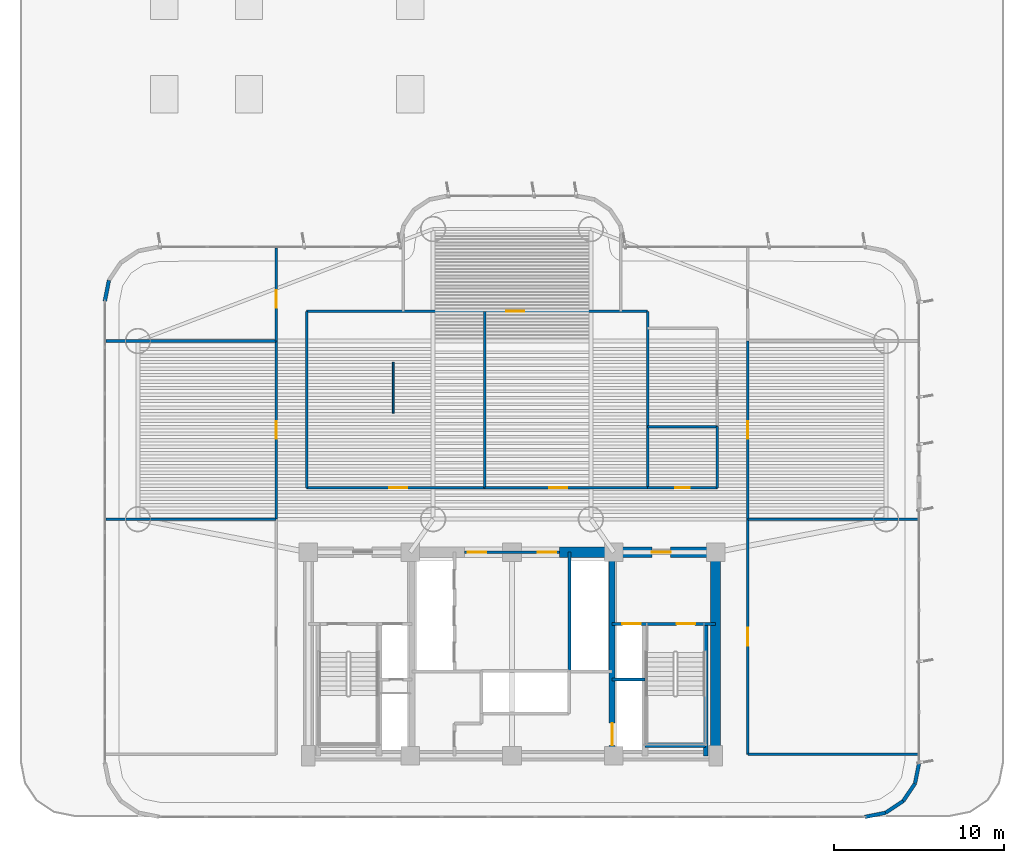
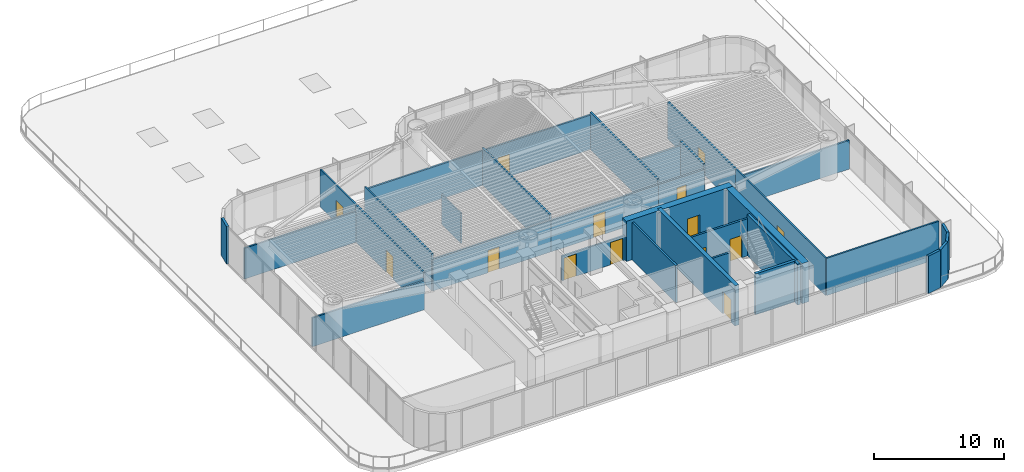
# One storey, part 11 of 17: 32 walls, 14 doors, 14 openings.
"""IFC4 building model written with IfcOpenShell, lengths in metres."""

from ifc_helpers import new_model, si_unit, direction, frame, frame_2d, origin, origin_2d, place, context, subcontext, project, spatial, rectangle, extrude, source, transform, mapped, material, layer, layer_set, type_object, element, fill, save


model = new_model("IFC4")

# Units and contexts
model_context = context("Model", 3, precision=1e-05, world=origin(), true_north=direction((0.0, 1.0)))
body_context = subcontext(model_context, "Body", "Model", "MODEL_VIEW")
ifc_project = project(units=[si_unit("LENGTHUNIT", "METRE"), si_unit("AREAUNIT", "SQUARE_METRE"), si_unit("VOLUMEUNIT", "CUBIC_METRE"), si_unit("PLANEANGLEUNIT", "RADIAN"), si_unit("MASSUNIT", "GRAM", prefix="KILO")], contexts=[model_context])

# Site, building, storey
site_placement = place(None, origin())
site = spatial("IfcSite", under=ifc_project, at=site_placement, CompositionType="ELEMENT")
building_placement = place(site_placement, origin())
building = spatial("IfcBuilding", under=site, at=building_placement, Name="Brelvock Crest Care Tower", CompositionType="ELEMENT")
storey_placement = place(building_placement, frame((0.0, 0.0, 27.0)))
storey = spatial("IfcBuildingStorey", under=building, at=storey_placement, Name="L06", CompositionType="ELEMENT", Elevation=27.0)

# Wall
ifc_material_1 = material(Name="Concrete S80 (80 MPa)", Category="concrete")
ifc_layer_1 = layer(ifc_material_1, 0.60009765625, Name="WL-CS1")
ifc_layer_set_1 = layer_set([ifc_layer_1], Name="Concrete S80 (80 MPa)")
wall_type_1 = type_object("IfcWallType", Name="WL-CS1", PredefinedType="SHEAR", material=ifc_layer_set_1)
wall_1_placement = place(storey_placement, frame((48.0, 18.0, 0.0), z_axis=(0.0, 0.0, 1.0), x_axis=(0.0, -1.0, 0.0)))
element("IfcWall", 1, at=wall_1_placement, inside=storey, type_object=wall_type_1, Name="L06 Core East Shear Wall", PredefinedType="SHEAR", context=body_context, shape_type="SweptSolid", body=[
    extrude(rectangle(XDim=12.0, YDim=0.60009765625, at=frame_2d((6.0, 0.0))), origin(), (0.0, 0.0, 1.0), 3.780029296875),
])

# Wall, opening, door
wall_2_placement = place(storey_placement, frame((38.800048828125, 18.0, 0.0), z_axis=(0.0, 0.0, 1.0), x_axis=(1.0, 0.0, 0.0)))
wall_2 = element("IfcWall", 2, at=wall_2_placement, inside=storey, type_object=wall_type_1, Name="L06 Core North-East Shear Wall", PredefinedType="SHEAR", context=body_context, shape_type="SweptSolid", body=[
    extrude(rectangle(XDim=9.5, YDim=0.60009765625, at=frame_2d((4.75, 0.0))), origin(), (0.0, 0.0, 1.0), 3.780029296875),
])
opening_1_placement = place(wall_2_placement, frame((5.449951171875, 0.0, 0.0)))
opening_1 = element("IfcOpeningElement", 3, at=opening_1_placement, cuts=wall_2, Name="Opening FD-1", PredefinedType="OPENING", context=body_context, shape_type="SweptSolid", body=[
    extrude(rectangle(XDim=1.10009765625, YDim=2.10009765625, at=origin_2d()), frame((0.550048828125, 0.31005859375, 1.050048828125), z_axis=(0.0, -1.0, 0.0), x_axis=(1.0, 0.0, 0.0)), (0.0, 0.0, 1.0), 0.6201171875),
])
ifc_material_2 = material(Name="Steel Grade 350", Category="steel")
door_type_1 = type_object("IfcDoorType", Name="DR-FFL1", OperationType="NOTDEFINED", PredefinedType="DOOR", material=ifc_material_2)
shared_shape_1 = source(origin(), body_context, "Body", "SweptSolid", [
    extrude(rectangle(XDim=1.10009765625, YDim=2.10009765625, at=origin_2d()), frame((0.550048828125, 0.02490234375, 1.050048828125), z_axis=(0.0, -1.0, 0.0), x_axis=(1.0, 0.0, 0.0)), (0.0, 0.0, 1.0), 0.050048828125),
])
door_1_placement = place(opening_1_placement, origin())
door_1 = element("IfcDoor", 4, at=door_1_placement, inside=storey, type_object=door_type_1, Name="L06 Firefighting Lobby FFL-2 Exit Door", OperationType="SINGLE_SWING_RIGHT", OverallHeight=2.10009765625, OverallWidth=1.10009765625, PredefinedType="DOOR", context=body_context, shape_type="MappedRepresentation", body=[
    mapped(shared_shape_1, transform((0.0, 0.0, 0.0), x_axis=(1.0, 0.0, 0.0), y_axis=(0.0, 1.0, 0.0), z_axis=(0.0, 0.0, 1.0), scale=1.0)),
])
fill(opening_1, door_1)

ifc_layer_2 = layer(ifc_material_1, 0.35009765625, Name="WL-CS5")
ifc_layer_set_2 = layer_set([ifc_layer_2], Name="Concrete S80 (80 MPa)")
wall_type_2 = type_object("IfcWallType", Name="WL-CS5", PredefinedType="SHEAR", material=ifc_layer_set_2)
wall_3_placement = place(storey_placement, frame((41.89990234375, 18.0, 0.0), z_axis=(0.0, 0.0, 1.0), x_axis=(0.0, -1.0, 0.0)))
wall_3 = element("IfcWall", 5, at=wall_3_placement, inside=storey, type_object=wall_type_2, Name="L06 Core Internal Web Wall East", PredefinedType="SHEAR", context=body_context, shape_type="SweptSolid", body=[
    extrude(rectangle(XDim=12.0, YDim=0.35009765625, at=frame_2d((6.0, 0.0))), origin(), (0.0, 0.0, 1.0), 3.780029296875),
])
opening_2_placement = place(wall_3_placement, frame((10.080078125, 0.0, 0.0)))
opening_2 = element("IfcOpeningElement", 6, at=opening_2_placement, cuts=wall_3, Name="Opening LD-S", PredefinedType="OPENING", context=body_context, shape_type="SweptSolid", body=[
    extrude(rectangle(XDim=1.300048828125, YDim=2.10009765625, at=origin_2d()), frame((0.64990234375, 0.18505859375, 1.050048828125), z_axis=(0.0, -1.0, 0.0), x_axis=(1.0, 0.0, 0.0)), (0.0, 0.0, 1.0), 0.3701171875),
])
door_type_2 = type_object("IfcDoorType", Name="DR-LDS1", OperationType="NOTDEFINED", PredefinedType="DOOR", material=ifc_material_2)
shared_shape_2 = source(origin(), body_context, "Body", "SweptSolid", [
    extrude(rectangle(XDim=1.300048828125, YDim=2.10009765625, at=origin_2d()), frame((0.64990234375, 0.02490234375, 1.050048828125), z_axis=(0.0, -1.0, 0.0), x_axis=(1.0, 0.0, 0.0)), (0.0, 0.0, 1.0), 0.050048828125),
])
door_2_placement = place(opening_2_placement, origin())
door_2 = element("IfcDoor", 7, at=door_2_placement, inside=storey, type_object=door_type_2, Name="L06 Clinical Bed Lift SL-1 Landing Door", OperationType="SLIDING_TO_LEFT", OverallHeight=2.10009765625, OverallWidth=1.300048828125, PredefinedType="DOOR", context=body_context, shape_type="MappedRepresentation", body=[
    mapped(shared_shape_2, transform((0.0, 0.0, 0.0), x_axis=(1.0, 0.0, 0.0), y_axis=(0.0, 1.0, 0.0), z_axis=(0.0, 0.0, 1.0), scale=1.0)),
])
fill(opening_2, door_2)

# Walls
ifc_layer_3 = layer(ifc_material_1, 0.25, Name="WL-CS6")
ifc_layer_set_3 = layer_set([ifc_layer_3], Name="Concrete S80 (80 MPa)")
wall_type_3 = type_object("IfcWallType", Name="WL-CS6", PredefinedType="SHEAR", material=ifc_layer_set_3)
wall_4_placement = place(storey_placement, frame((47.419921875, 6.0, 0.0), z_axis=(0.0, 0.0, 1.0), x_axis=(0.0, 1.0, 0.0)))
element("IfcWall", 8, at=wall_4_placement, inside=storey, type_object=wall_type_3, Name="L06 Core Stair ST-2 East Shear Wall", PredefinedType="SHEAR", context=body_context, shape_type="SweptSolid", body=[
    extrude(rectangle(XDim=7.780029296875, YDim=0.25, at=frame_2d((3.89013671875, 0.0))), origin(), (0.0, 0.0, 1.0), 3.85009765625),
])
wall_5_placement = place(storey_placement, frame((43.85009765625, 6.6201171875, 0.0), z_axis=(0.0, 0.0, 1.0), x_axis=(1.0, 0.0, 0.0)))
element("IfcWall", 9, at=wall_5_placement, inside=storey, type_object=wall_type_3, Name="L06 Core Stair ST-2 South Shear Wall", PredefinedType="SHEAR", context=body_context, shape_type="SweptSolid", body=[
    extrude(rectangle(XDim=3.56982421875, YDim=0.25, at=frame_2d((1.784912109375, 0.0))), origin(), (0.0, 0.0, 1.0), 3.85009765625),
])
ifc_material_3 = material(Name="Precast concrete N40 (40 MPa)", Category="concrete")
ifc_layer_4 = layer(ifc_material_3, 0.215087890625, Name="WL-EX2")
ifc_layer_set_4 = layer_set([ifc_layer_4], Name="Precast concrete N40 (40 MPa)")
wall_type_4 = type_object("IfcWallType", Name="WL-EX2", PredefinedType="SOLIDWALL", material=ifc_layer_set_4)
for number, where, z_axis, x_axis, name in (
    (10, (60.0, 5.60009765625, 0.0), (0.0, 0.0, 1.0), (-0.195138390419, -0.980775717779, 0.0), "L06 Rounded Corner Wall 04"),
    (11, (59.75634765625, 4.37548828125, 0.0), (0.0, 0.0, 1.0), (-0.555557312883, -0.831478245117, 0.0), "L06 Rounded Corner Wall 05"),
    (12, (59.062744140625, 3.33740234375, 0.0), (0.0, 0.0, 1.0), (-0.831387912822, -0.555692485475, 0.0), "L06 Rounded Corner Wall 06"),
    (13, (58.024658203125, 2.6435546875, 0.0), (0.0, 0.0, 1.0), (-0.980775717779, -0.195138390419, 0.0), "L06 Rounded Corner Wall 07"),
    (14, (12.0, 32.800048828125, 0.0), (0.0, 0.0, 1.0), (0.195138390419, 0.980775717779, 0.0), "L06 Rounded Corner Wall 14"),
):
    element("IfcWall", number, at=place(storey_placement, frame(where, z_axis=z_axis, x_axis=x_axis)), inside=storey, type_object=wall_type_4, Name=name, PredefinedType="SOLIDWALL", context=body_context, shape_type="SweptSolid", body=[
        extrude(rectangle(XDim=1.24853515625, YDim=0.215087890625, at=frame_2d((0.624267578125, 0.0))), origin(), (0.0, 0.0, 1.0), 3.530029296875),
    ])

# Wall, openings, doors
ifc_material_4 = material(Name="Masonry Blockwork Acoustic Partition", Category="masonry")
ifc_layer_5 = layer(ifc_material_4, 0.14990234375, Name="WL-INT1")
ifc_layer_set_5 = layer_set([ifc_layer_5], Name="Masonry Blockwork Acoustic Partition")
wall_type_5 = type_object("IfcWallType", Name="WL-INT1", PredefinedType="PARTITIONING", material=ifc_layer_set_5)
wall_6_placement = place(storey_placement, frame((33.199951171875, 18.0, 0.0), z_axis=(0.0, 0.0, 1.0), x_axis=(1.0, 0.0, 0.0)))
wall_6 = element("IfcWall", 15, at=wall_6_placement, inside=storey, type_object=wall_type_5, Name="L06 Interior Wall WL-CORE-NPORT-L06", PredefinedType="PARTITIONING", context=body_context, shape_type="SweptSolid", body=[
    extrude(rectangle(XDim=5.60009765625, YDim=0.14990234375, at=frame_2d((2.800048828125, 0.0))), origin(), (0.0, 0.0, 1.0), 2.31494140625),
])
opening_3_placement = place(wall_6_placement, frame((0.18994140625, 0.0, 0.0)))
opening_3 = element("IfcOpeningElement", 16, at=opening_3_placement, cuts=wall_6, Name="Opening FD-1", PredefinedType="OPENING", context=body_context, shape_type="SweptSolid", body=[
    extrude(rectangle(XDim=1.10009765625, YDim=2.10009765625, at=origin_2d()), frame((0.550048828125, 0.0849609375, 1.050048828125), z_axis=(0.0, -1.0, 0.0), x_axis=(1.0, 0.0, 0.0)), (0.0, 0.0, 1.0), 0.169921875),
])
opening_4_placement = place(wall_6_placement, frame((4.31005859375, 0.0, 0.0)))
opening_4 = element("IfcOpeningElement", 17, at=opening_4_placement, cuts=wall_6, Name="Opening FD-1", PredefinedType="OPENING", context=body_context, shape_type="SweptSolid", body=[
    extrude(rectangle(XDim=1.10009765625, YDim=2.10009765625, at=origin_2d()), frame((0.550048828125, 0.0849609375, 1.050048828125), z_axis=(0.0, -1.0, 0.0), x_axis=(1.0, 0.0, 0.0)), (0.0, 0.0, 1.0), 0.169921875),
])
door_3_placement = place(opening_3_placement, origin())
door_3 = element("IfcDoor", 18, at=door_3_placement, inside=storey, type_object=door_type_1, Name="L06 Lift Lobby North Smoke Door West", OperationType="SINGLE_SWING_LEFT", OverallHeight=2.10009765625, OverallWidth=1.10009765625, PredefinedType="DOOR", context=body_context, shape_type="MappedRepresentation", body=[
    mapped(shared_shape_1, transform((0.0, 0.0, 0.0), x_axis=(1.0, 0.0, 0.0), y_axis=(0.0, 1.0, 0.0), z_axis=(0.0, 0.0, 1.0), scale=1.0)),
])
fill(opening_3, door_3)
door_4_placement = place(opening_4_placement, origin())
door_4 = element("IfcDoor", 19, at=door_4_placement, inside=storey, type_object=door_type_1, Name="L06 Lift Lobby North Smoke Door East", OperationType="SINGLE_SWING_RIGHT", OverallHeight=2.10009765625, OverallWidth=1.10009765625, PredefinedType="DOOR", context=body_context, shape_type="MappedRepresentation", body=[
    mapped(shared_shape_1, transform((0.0, 0.0, 0.0), x_axis=(1.0, 0.0, 0.0), y_axis=(0.0, 1.0, 0.0), z_axis=(0.0, 0.0, 1.0), scale=1.0)),
])
fill(opening_4, door_4)

# Walls
wall_7_placement = place(storey_placement, frame((49.89990234375, 6.080078125, 0.0), z_axis=(0.0, 0.0, 1.0), x_axis=(1.0, 0.0, 0.0)))
element("IfcWall", 20, at=wall_7_placement, inside=storey, type_object=wall_type_5, Name="L06 Interior Wall WL-BX-L06-EWL1-S", PredefinedType="PARTITIONING", context=body_context, shape_type="SweptSolid", body=[
    extrude(rectangle(XDim=10.02001953125, YDim=0.14990234375, at=frame_2d((5.010009765625, 0.0))), origin(), (0.0, 0.0, 1.0), 3.5),
])
for number, where, z_axis, x_axis, name in (
    (21, (12.080078125, 19.949951171875, 0.0), (0.0, 0.0, 1.0), (1.0, 0.0, 0.0), "L06 Interior Wall WL-BX-L06-WWL1-N"),
    (22, (49.89990234375, 19.949951171875, 0.0), (0.0, 0.0, 1.0), (1.0, 0.0, 0.0), "L06 Interior Wall WL-BX-L06-EWL1-N"),
):
    element("IfcWall", number, at=place(storey_placement, frame(where, z_axis=z_axis, x_axis=x_axis)), inside=storey, type_object=wall_type_5, Name=name, PredefinedType="PARTITIONING", context=body_context, shape_type="SweptSolid", body=[
        extrude(rectangle(XDim=10.02001953125, YDim=0.14990234375, at=frame_2d((5.010009765625, 0.0))), origin(), (0.0, 0.0, 1.0), 2.715087890625),
    ])

# Wall, opening, door
wall_8_placement = place(storey_placement, frame((23.89990234375, 21.800048828125, 0.0), z_axis=(0.0, 0.0, 1.0), x_axis=(1.0, 0.0, 0.0)))
wall_8 = element("IfcWall", 23, at=wall_8_placement, inside=storey, type_object=wall_type_5, Name="L06 Interior Wall WL-RM-L06-CNW", PredefinedType="PARTITIONING", context=body_context, shape_type="SweptSolid", body=[
    extrude(rectangle(XDim=10.5, YDim=0.14990234375, at=frame_2d((5.25, 0.0))), origin(), (0.0, 0.0, 1.0), 2.98193359375),
])
opening_5_placement = place(wall_8_placement, frame((4.875, 0.0, 0.0)))
opening_5 = element("IfcOpeningElement", 24, at=opening_5_placement, cuts=wall_8, Name="Opening CLD-1", PredefinedType="OPENING", context=body_context, shape_type="SweptSolid", body=[
    extrude(rectangle(XDim=1.050048828125, YDim=2.10009765625, at=origin_2d()), frame((0.52490234375, 0.0849609375, 1.050048828125), z_axis=(0.0, -1.0, 0.0), x_axis=(1.0, 0.0, 0.0)), (0.0, 0.0, 1.0), 0.169921875),
])
ifc_material_5 = material(Name="Engineered Hardwood Timber", Category="wood")
door_type_3 = type_object("IfcDoorType", Name="DR-CLN1", OperationType="NOTDEFINED", PredefinedType="DOOR", material=ifc_material_5)
shared_shape_3 = source(origin(), body_context, "Body", "SweptSolid", [
    extrude(rectangle(XDim=1.050048828125, YDim=2.10009765625, at=origin_2d()), frame((0.52490234375, 0.02490234375, 1.050048828125), z_axis=(0.0, -1.0, 0.0), x_axis=(1.0, 0.0, 0.0)), (0.0, 0.0, 1.0), 0.050048828125),
])
door_5_placement = place(opening_5_placement, origin())
door_5 = element("IfcDoor", 25, at=door_5_placement, inside=storey, type_object=door_type_3, Name="L06 Communal Dining Conservatory Door CNW", OperationType="SINGLE_SWING_LEFT", OverallHeight=2.10009765625, OverallWidth=1.050048828125, PredefinedType="DOOR", context=body_context, shape_type="MappedRepresentation", body=[
    mapped(shared_shape_3, transform((0.0, 0.0, 0.0), x_axis=(1.0, 0.0, 0.0), y_axis=(0.0, 1.0, 0.0), z_axis=(0.0, 0.0, 1.0), scale=1.0)),
])
fill(opening_5, door_5)

wall_9_placement = place(storey_placement, frame((34.39990234375, 21.800048828125, 0.0), z_axis=(0.0, 0.0, 1.0), x_axis=(1.0, 0.0, 0.0)))
wall_9 = element("IfcWall", 26, at=wall_9_placement, inside=storey, type_object=wall_type_5, Name="L06 Interior Wall WL-RM-L06-CNE", PredefinedType="PARTITIONING", context=body_context, shape_type="SweptSolid", body=[
    extrude(rectangle(XDim=9.60009765625, YDim=0.14990234375, at=frame_2d((4.800048828125, 0.0))), origin(), (0.0, 0.0, 1.0), 2.98193359375),
])
opening_6_placement = place(wall_9_placement, frame((3.794921875, 0.0, 0.0)))
opening_6 = element("IfcOpeningElement", 27, at=opening_6_placement, cuts=wall_9, Name="Opening CLD-1", PredefinedType="OPENING", context=body_context, shape_type="SweptSolid", body=[
    extrude(rectangle(XDim=1.050048828125, YDim=2.10009765625, at=origin_2d()), frame((0.52490234375, 0.0849609375, 1.050048828125), z_axis=(0.0, -1.0, 0.0), x_axis=(1.0, 0.0, 0.0)), (0.0, 0.0, 1.0), 0.169921875),
])
door_6_placement = place(opening_6_placement, origin())
door_6 = element("IfcDoor", 28, at=door_6_placement, inside=storey, type_object=door_type_3, Name="L06 Geriatric Nurse Consultation Hub Door CNE", OperationType="SINGLE_SWING_LEFT", OverallHeight=2.10009765625, OverallWidth=1.050048828125, PredefinedType="DOOR", context=body_context, shape_type="MappedRepresentation", body=[
    mapped(shared_shape_3, transform((0.0, 0.0, 0.0), x_axis=(1.0, 0.0, 0.0), y_axis=(0.0, 1.0, 0.0), z_axis=(0.0, 0.0, 1.0), scale=1.0)),
])
fill(opening_6, door_6)

# Wall
wall_10_placement = place(storey_placement, frame((12.080078125, 30.449951171875, 0.0), z_axis=(0.0, 0.0, 1.0), x_axis=(1.0, 0.0, 0.0)))
element("IfcWall", 29, at=wall_10_placement, inside=storey, type_object=wall_type_5, Name="L06 Interior Wall WL-BX-L06-WWL2-N", PredefinedType="PARTITIONING", context=body_context, shape_type="SweptSolid", body=[
    extrude(rectangle(XDim=10.02001953125, YDim=0.14990234375, at=frame_2d((5.010009765625, 0.0))), origin(), (0.0, 0.0, 1.0), 2.903076171875),
])

# Wall, opening, door
wall_11_placement = place(storey_placement, frame((23.89990234375, 32.199951171875, 0.0), z_axis=(0.0, 0.0, 1.0), x_axis=(1.0, 0.0, 0.0)))
wall_11 = element("IfcWall", 30, at=wall_11_placement, inside=storey, type_object=wall_type_5, Name="L06 Interior Wall WL-RM-L06-NHUB", PredefinedType="PARTITIONING", context=body_context, shape_type="SweptSolid", body=[
    extrude(rectangle(XDim=20.10009765625, YDim=0.14990234375, at=frame_2d((10.050048828125, 0.0))), origin(), (0.0, 0.0, 1.0), 3.259033203125),
])
opening_7_placement = place(wall_11_placement, frame((11.77490234375, 0.0, 0.0)))
opening_7 = element("IfcOpeningElement", 31, at=opening_7_placement, cuts=wall_11, Name="Opening CLD-1", PredefinedType="OPENING", context=body_context, shape_type="SweptSolid", body=[
    extrude(rectangle(XDim=1.050048828125, YDim=2.10009765625, at=origin_2d()), frame((0.52490234375, 0.0849609375, 1.050048828125), z_axis=(0.0, -1.0, 0.0), x_axis=(1.0, 0.0, 0.0)), (0.0, 0.0, 1.0), 0.169921875),
])
door_7_placement = place(opening_7_placement, origin())
door_7 = element("IfcDoor", 32, at=door_7_placement, inside=storey, type_object=door_type_3, Name="L06 Harbour Wintergarden Lounge Door NHUB", OperationType="SINGLE_SWING_LEFT", OverallHeight=2.10009765625, OverallWidth=1.050048828125, PredefinedType="DOOR", context=body_context, shape_type="MappedRepresentation", body=[
    mapped(shared_shape_3, transform((0.0, 0.0, 0.0), x_axis=(1.0, 0.0, 0.0), y_axis=(0.0, 1.0, 0.0), z_axis=(0.0, 0.0, 1.0), scale=1.0)),
])
fill(opening_7, door_7)

wall_12_placement = place(storey_placement, frame((22.10009765625, 19.949951171875, 0.0), z_axis=(0.0, 0.0, 1.0), x_axis=(0.0, 1.0, 0.0)))
wall_12 = element("IfcWall", 33, at=wall_12_placement, inside=storey, type_object=wall_type_5, Name="L06 Interior Wall WL-RM-L06-WWL2", PredefinedType="PARTITIONING", context=body_context, shape_type="SweptSolid", body=[
    extrude(rectangle(XDim=10.5, YDim=0.14990234375, at=frame_2d((5.25, 0.0))), origin(), (0.0, 0.0, 1.0), 3.5),
])
opening_8_placement = place(wall_12_placement, frame((4.72509765625, 0.0, 0.0)))
opening_8 = element("IfcOpeningElement", 34, at=opening_8_placement, cuts=wall_12, Name="Opening CLD-1", PredefinedType="OPENING", context=body_context, shape_type="SweptSolid", body=[
    extrude(rectangle(XDim=1.050048828125, YDim=2.10009765625, at=origin_2d()), frame((0.52490234375, 0.0849609375, 1.050048828125), z_axis=(0.0, -1.0, 0.0), x_axis=(1.0, 0.0, 0.0)), (0.0, 0.0, 1.0), 0.169921875),
])
door_8_placement = place(opening_8_placement, origin())
door_8 = element("IfcDoor", 35, at=door_8_placement, inside=storey, type_object=door_type_3, Name="L06 Senior Wellness Club Lounge Door WWL2", OperationType="SINGLE_SWING_LEFT", OverallHeight=2.10009765625, OverallWidth=1.050048828125, PredefinedType="DOOR", context=body_context, shape_type="MappedRepresentation", body=[
    mapped(shared_shape_3, transform((0.0, 0.0, 0.0), x_axis=(1.0, 0.0, 0.0), y_axis=(0.0, 1.0, 0.0), z_axis=(0.0, 0.0, 1.0), scale=1.0)),
])
fill(opening_8, door_8)

wall_13_placement = place(storey_placement, frame((22.10009765625, 30.449951171875, 0.0), z_axis=(0.0, 0.0, 1.0), x_axis=(0.0, 1.0, 0.0)))
wall_13 = element("IfcWall", 36, at=wall_13_placement, inside=storey, type_object=wall_type_5, Name="L06 Interior Wall WL-RM-L06-WWL3", PredefinedType="PARTITIONING", context=body_context, shape_type="SweptSolid", body=[
    extrude(rectangle(XDim=5.470703125, YDim=0.14990234375, at=frame_2d((2.7353515625, 0.0))), origin(), (0.0, 0.0, 1.0), 3.5),
])
opening_9_placement = place(wall_13_placement, frame((1.949951171875, 0.0, 0.0)))
opening_9 = element("IfcOpeningElement", 37, at=opening_9_placement, cuts=wall_13, Name="Opening CLD-1", PredefinedType="OPENING", context=body_context, shape_type="SweptSolid", body=[
    extrude(rectangle(XDim=1.050048828125, YDim=2.10009765625, at=origin_2d()), frame((0.52490234375, 0.0849609375, 1.050048828125), z_axis=(0.0, -1.0, 0.0), x_axis=(1.0, 0.0, 0.0)), (0.0, 0.0, 1.0), 0.169921875),
])
door_9_placement = place(opening_9_placement, origin())
door_9 = element("IfcDoor", 38, at=door_9_placement, inside=storey, type_object=door_type_3, Name="L06 Podium Terrace Sun Salon Door WWL3", OperationType="SINGLE_SWING_LEFT", OverallHeight=2.10009765625, OverallWidth=1.050048828125, PredefinedType="DOOR", context=body_context, shape_type="MappedRepresentation", body=[
    mapped(shared_shape_3, transform((0.0, 0.0, 0.0), x_axis=(1.0, 0.0, 0.0), y_axis=(0.0, 1.0, 0.0), z_axis=(0.0, 0.0, 1.0), scale=1.0)),
])
fill(opening_9, door_9)

# Walls
for number, where, z_axis, x_axis, name in (
    (39, (23.89990234375, 21.800048828125, 0.0), (0.0, 0.0, 1.0), (0.0, 1.0, 0.0), "L06 Interior Wall WL-BX-L06-CNW-W"),
    (40, (34.39990234375, 21.800048828125, 0.0), (0.0, 0.0, 1.0), (0.0, 1.0, 0.0), "L06 Interior Wall WL-BX-L06-CNE-W"),
):
    element("IfcWall", number, at=place(storey_placement, frame(where, z_axis=z_axis, x_axis=x_axis)), inside=storey, type_object=wall_type_5, Name=name, PredefinedType="PARTITIONING", context=body_context, shape_type="SweptSolid", body=[
        extrude(rectangle(XDim=10.39990234375, YDim=0.14990234375, at=frame_2d((5.199951171875, 0.0))), origin(), (0.0, 0.0, 1.0), 3.5),
    ])

# Wall, opening, door
wall_14_placement = place(storey_placement, frame((49.89990234375, 6.080078125, 0.0), z_axis=(0.0, 0.0, 1.0), x_axis=(0.0, 1.0, 0.0)))
wall_14 = element("IfcWall", 41, at=wall_14_placement, inside=storey, type_object=wall_type_5, Name="L06 Interior Wall WL-RM-L06-EWL1", PredefinedType="PARTITIONING", context=body_context, shape_type="SweptSolid", body=[
    extrude(rectangle(XDim=13.869873046875, YDim=0.14990234375, at=frame_2d((6.93505859375, 0.0))), origin(), (0.0, 0.0, 1.0), 3.5),
])
opening_10_placement = place(wall_14_placement, frame((6.409912109375, 0.0, 0.0)))
opening_10 = element("IfcOpeningElement", 42, at=opening_10_placement, cuts=wall_14, Name="Opening CLD-1", PredefinedType="OPENING", context=body_context, shape_type="SweptSolid", body=[
    extrude(rectangle(XDim=1.050048828125, YDim=2.10009765625, at=origin_2d()), frame((0.52490234375, 0.0849609375, 1.050048828125), z_axis=(0.0, -1.0, 0.0), x_axis=(1.0, 0.0, 0.0)), (0.0, 0.0, 1.0), 0.169921875),
])
door_10_placement = place(opening_10_placement, origin())
door_10 = element("IfcDoor", 43, at=door_10_placement, inside=storey, type_object=door_type_3, Name="L06 Outpatient Geriatric Assessment Clinic Door EWL1", OperationType="SINGLE_SWING_LEFT", OverallHeight=2.10009765625, OverallWidth=1.050048828125, PredefinedType="DOOR", context=body_context, shape_type="MappedRepresentation", body=[
    mapped(shared_shape_3, transform((0.0, 0.0, 0.0), x_axis=(1.0, 0.0, 0.0), y_axis=(0.0, 1.0, 0.0), z_axis=(0.0, 0.0, 1.0), scale=1.0)),
])
fill(opening_10, door_10)

wall_15_placement = place(storey_placement, frame((49.89990234375, 19.949951171875, 0.0), z_axis=(0.0, 0.0, 1.0), x_axis=(0.0, 1.0, 0.0)))
wall_15 = element("IfcWall", 44, at=wall_15_placement, inside=storey, type_object=wall_type_5, Name="L06 Interior Wall WL-RM-L06-EWL2", PredefinedType="PARTITIONING", context=body_context, shape_type="SweptSolid", body=[
    extrude(rectangle(XDim=10.5, YDim=0.14990234375, at=frame_2d((5.25, 0.0))), origin(), (0.0, 0.0, 1.0), 3.5),
])
opening_11_placement = place(wall_15_placement, frame((4.72509765625, 0.0, 0.0)))
opening_11 = element("IfcOpeningElement", 45, at=opening_11_placement, cuts=wall_15, Name="Opening CLD-1", PredefinedType="OPENING", context=body_context, shape_type="SweptSolid", body=[
    extrude(rectangle(XDim=1.050048828125, YDim=2.10009765625, at=origin_2d()), frame((0.52490234375, 0.0849609375, 1.050048828125), z_axis=(0.0, -1.0, 0.0), x_axis=(1.0, 0.0, 0.0)), (0.0, 0.0, 1.0), 0.169921875),
])
door_11_placement = place(opening_11_placement, origin())
door_11 = element("IfcDoor", 46, at=door_11_placement, inside=storey, type_object=door_type_3, Name="L06 Resident Garden Reading Salon Door EWL2", OperationType="SINGLE_SWING_LEFT", OverallHeight=2.10009765625, OverallWidth=1.050048828125, PredefinedType="DOOR", context=body_context, shape_type="MappedRepresentation", body=[
    mapped(shared_shape_3, transform((0.0, 0.0, 0.0), x_axis=(1.0, 0.0, 0.0), y_axis=(0.0, 1.0, 0.0), z_axis=(0.0, 0.0, 1.0), scale=1.0)),
])
fill(opening_11, door_11)

# Wall
ifc_material_6 = material(Name="Aluminium 6063-T6", Category="aluminium")
ifc_layer_6 = layer(ifc_material_6, 0.10009765625, Name="WL-MV1")
ifc_layer_set_6 = layer_set([ifc_layer_6], Name="Aluminium 6063-T6")
wall_type_6 = type_object("IfcWallType", Name="WL-MV1", PredefinedType="MOVABLE", material=ifc_layer_set_6)
wall_16_placement = place(storey_placement, frame((29.0, 26.199951171875, 0.0), z_axis=(0.0, 0.0, 1.0), x_axis=(0.0, 1.0, 0.0)))
element("IfcWall", 47, at=wall_16_placement, inside=storey, type_object=wall_type_6, Name="L06 Operable Acoustic Partition", PredefinedType="MOVABLE", context=body_context, shape_type="SweptSolid", body=[
    extrude(rectangle(XDim=3.0, YDim=0.10009765625, at=frame_2d((1.5, 0.0))), origin(), (0.0, 0.0, 1.0), 2.85009765625),
])

# Wall, opening, door
ifc_material_7 = material(Name="Gypsum Plasterboard Partition", Category="gypsum")
ifc_layer_7 = layer(ifc_material_7, 0.159912109375, Name="WL-PLM1")
ifc_layer_set_7 = layer_set([ifc_layer_7], Name="Gypsum Plasterboard Partition")
wall_type_7 = type_object("IfcWallType", Name="WL-PLM1", PredefinedType="PLUMBINGWALL", material=ifc_layer_set_7)
wall_17_placement = place(storey_placement, frame((44.0, 21.800048828125, 0.0), z_axis=(0.0, 0.0, 1.0), x_axis=(1.0, 0.0, 0.0)))
wall_17 = element("IfcWall", 48, at=wall_17_placement, inside=storey, type_object=wall_type_7, Name="L06 Interior Wall WL-RM-L06-CAWC", PredefinedType="PLUMBINGWALL", context=body_context, shape_type="SweptSolid", body=[
    extrude(rectangle(XDim=4.10009765625, YDim=0.159912109375, at=frame_2d((2.050048828125, 0.0))), origin(), (0.0, 0.0, 1.0), 2.98193359375),
])
opening_12_placement = place(wall_17_placement, frame((1.6201171875, 0.0, 0.0)))
opening_12 = element("IfcOpeningElement", 49, at=opening_12_placement, cuts=wall_17, Name="Opening WD-1", PredefinedType="OPENING", context=body_context, shape_type="SweptSolid", body=[
    extrude(rectangle(XDim=0.860107421875, YDim=2.10009765625, at=origin_2d()), frame((0.43017578125, 0.08984375, 1.050048828125), z_axis=(0.0, -1.0, 0.0), x_axis=(1.0, 0.0, 0.0)), (0.0, 0.0, 1.0), 0.179931640625),
])
door_type_4 = type_object("IfcDoorType", Name="DR-WC1", OperationType="NOTDEFINED", PredefinedType="DOOR", material=ifc_material_5)
shared_shape_4 = source(origin(), body_context, "Body", "SweptSolid", [
    extrude(rectangle(XDim=0.860107421875, YDim=2.10009765625, at=origin_2d()), frame((0.43017578125, 0.02490234375, 1.050048828125), z_axis=(0.0, -1.0, 0.0), x_axis=(1.0, 0.0, 0.0)), (0.0, 0.0, 1.0), 0.050048828125),
])
door_12_placement = place(opening_12_placement, origin())
door_12 = element("IfcDoor", 50, at=door_12_placement, inside=storey, type_object=door_type_4, Name="L06 Floor Accessible WC Door CAWC", OperationType="SINGLE_SWING_LEFT", OverallHeight=2.10009765625, OverallWidth=0.860107421875, PredefinedType="DOOR", context=body_context, shape_type="MappedRepresentation", body=[
    mapped(shared_shape_4, transform((0.0, 0.0, 0.0), x_axis=(1.0, 0.0, 0.0), y_axis=(0.0, 1.0, 0.0), z_axis=(0.0, 0.0, 1.0), scale=1.0)),
])
fill(opening_12, door_12)

# Walls
wall_18_placement = place(storey_placement, frame((44.0, 25.39990234375, 0.0), z_axis=(0.0, 0.0, 1.0), x_axis=(1.0, 0.0, 0.0)))
element("IfcWall", 51, at=wall_18_placement, inside=storey, type_object=wall_type_7, Name="L06 Interior Wall WL-BX-L06-CAWC-N", PredefinedType="PLUMBINGWALL", context=body_context, shape_type="SweptSolid", body=[
    extrude(rectangle(XDim=4.10009765625, YDim=0.159912109375, at=frame_2d((2.050048828125, 0.0))), origin(), (0.0, 0.0, 1.0), 3.054931640625),
])
wall_19_placement = place(storey_placement, frame((44.0, 21.800048828125, 0.0), z_axis=(0.0, 0.0, 1.0), x_axis=(0.0, 1.0, 0.0)))
element("IfcWall", 52, at=wall_19_placement, inside=storey, type_object=wall_type_7, Name="L06 Interior Wall WL-BX-L06-CNE-E", PredefinedType="PLUMBINGWALL", context=body_context, shape_type="SweptSolid", body=[
    extrude(rectangle(XDim=10.39990234375, YDim=0.159912109375, at=frame_2d((5.199951171875, 0.0))), origin(), (0.0, 0.0, 1.0), 3.5),
])
wall_20_placement = place(storey_placement, frame((48.10009765625, 21.800048828125, 0.0), z_axis=(0.0, 0.0, 1.0), x_axis=(0.0, 1.0, 0.0)))
element("IfcWall", 53, at=wall_20_placement, inside=storey, type_object=wall_type_7, Name="L06 Interior Wall WL-BX-L06-CAWC-E", PredefinedType="PLUMBINGWALL", context=body_context, shape_type="SweptSolid", body=[
    extrude(rectangle(XDim=3.599853515625, YDim=0.159912109375, at=frame_2d((1.7998046875, 0.0))), origin(), (0.0, 0.0, 1.0), 3.5),
])
ifc_layer_8 = layer(ifc_material_4, 0.179931640625, Name="WL-SHF1")
ifc_layer_set_8 = layer_set([ifc_layer_8], Name="Masonry Blockwork Acoustic Partition")
wall_type_8 = type_object("IfcWallType", Name="WL-SHF1", PredefinedType="PARTITIONING", material=ifc_layer_set_8)
wall_21_placement = place(storey_placement, frame((39.39990234375, 11.0, 0.0), z_axis=(0.0, 0.0, 1.0), x_axis=(0.0, 1.0, 0.0)))
element("IfcWall", 54, at=wall_21_placement, inside=storey, type_object=wall_type_8, Name="L06 Interior Wall WL-PLH-SHF-L06", PredefinedType="PARTITIONING", context=body_context, shape_type="SweptSolid", body=[
    extrude(rectangle(XDim=7.0, YDim=0.179931640625, at=frame_2d((3.5, 0.0))), origin(), (0.0, 0.0, 1.0), 3.5),
])

# Wall, openings, doors
wall_22_placement = place(storey_placement, frame((41.89990234375, 13.780029296875, 0.0), z_axis=(0.0, 0.0, 1.0), x_axis=(1.0, 0.0, 0.0)))
wall_22 = element("IfcWall", 55, at=wall_22_placement, inside=storey, type_object=wall_type_8, Name="L06 Interior Wall WL-ST2-N-L06", PredefinedType="PARTITIONING", context=body_context, shape_type="SweptSolid", body=[
    extrude(rectangle(XDim=6.10009765625, YDim=0.179931640625, at=frame_2d((3.050048828125, 0.0))), origin(), (0.0, 0.0, 1.0), 3.5),
])
opening_13_placement = place(wall_22_placement, frame((0.60009765625, 0.0, 0.0)))
opening_13 = element("IfcOpeningElement", 56, at=opening_13_placement, cuts=wall_22, Name="Opening LD", PredefinedType="OPENING", context=body_context, shape_type="SweptSolid", body=[
    extrude(rectangle(XDim=1.10009765625, YDim=2.10009765625, at=origin_2d()), frame((0.550048828125, 0.10009765625, 1.050048828125), z_axis=(0.0, -1.0, 0.0), x_axis=(1.0, 0.0, 0.0)), (0.0, 0.0, 1.0), 0.199951171875),
])
opening_14_placement = place(wall_22_placement, frame((3.800048828125, 0.0, 0.0)))
opening_14 = element("IfcOpeningElement", 57, at=opening_14_placement, cuts=wall_22, Name="Opening SD-1", PredefinedType="OPENING", context=body_context, shape_type="SweptSolid", body=[
    extrude(rectangle(XDim=1.10009765625, YDim=2.10009765625, at=origin_2d()), frame((0.550048828125, 0.10009765625, 1.050048828125), z_axis=(0.0, -1.0, 0.0), x_axis=(1.0, 0.0, 0.0)), (0.0, 0.0, 1.0), 0.199951171875),
])
door_type_5 = type_object("IfcDoorType", Name="DR-ST1", OperationType="NOTDEFINED", PredefinedType="DOOR", material=ifc_material_2)
shared_shape_5 = source(origin(), body_context, "Body", "SweptSolid", [
    extrude(rectangle(XDim=1.10009765625, YDim=2.10009765625, at=origin_2d()), frame((0.550048828125, 0.02490234375, 1.050048828125), z_axis=(0.0, -1.0, 0.0), x_axis=(1.0, 0.0, 0.0)), (0.0, 0.0, 1.0), 0.050048828125),
])
door_13_placement = place(opening_14_placement, origin())
door_13 = element("IfcDoor", 58, at=door_13_placement, inside=storey, type_object=door_type_5, Name="L06 Fire Stair ST-2 Door", OperationType="SINGLE_SWING_RIGHT", OverallHeight=2.10009765625, OverallWidth=1.10009765625, PredefinedType="DOOR", context=body_context, shape_type="MappedRepresentation", body=[
    mapped(shared_shape_5, transform((0.0, 0.0, 0.0), x_axis=(1.0, 0.0, 0.0), y_axis=(0.0, 1.0, 0.0), z_axis=(0.0, 0.0, 1.0), scale=1.0)),
])
fill(opening_14, door_13)
door_type_6 = type_object("IfcDoorType", Name="DR-LD1", OperationType="NOTDEFINED", PredefinedType="DOOR", material=ifc_material_2)
shared_shape_6 = source(origin(), body_context, "Body", "SweptSolid", [
    extrude(rectangle(XDim=1.10009765625, YDim=2.10009765625, at=origin_2d()), frame((0.550048828125, 0.02490234375, 1.050048828125), z_axis=(0.0, -1.0, 0.0), x_axis=(1.0, 0.0, 0.0)), (0.0, 0.0, 1.0), 0.050048828125),
])
door_14_placement = place(opening_13_placement, origin())
door_14 = element("IfcDoor", 59, at=door_14_placement, inside=storey, type_object=door_type_6, Name="L06 Firefighting Lift FFL-2 Landing Door", OperationType="SLIDING_TO_RIGHT", OverallHeight=2.10009765625, OverallWidth=1.10009765625, PredefinedType="DOOR", context=body_context, shape_type="MappedRepresentation", body=[
    mapped(shared_shape_6, transform((0.0, 0.0, 0.0), x_axis=(1.0, 0.0, 0.0), y_axis=(0.0, 1.0, 0.0), z_axis=(0.0, 0.0, 1.0), scale=1.0)),
])
fill(opening_13, door_14)

# Wall
wall_23_placement = place(storey_placement, frame((41.89990234375, 10.5, 0.0), z_axis=(0.0, 0.0, 1.0), x_axis=(1.0, 0.0, 0.0)))
element("IfcWall", 60, at=wall_23_placement, inside=storey, type_object=wall_type_8, Name="L06 Interior Wall WL-FFH2-S-L06", PredefinedType="PARTITIONING", context=body_context, shape_type="SweptSolid", body=[
    extrude(rectangle(XDim=1.9501953125, YDim=0.179931640625, at=frame_2d((0.97509765625, 0.0))), origin(), (0.0, 0.0, 1.0), 3.5),
])

save(model, "model.ifc")
